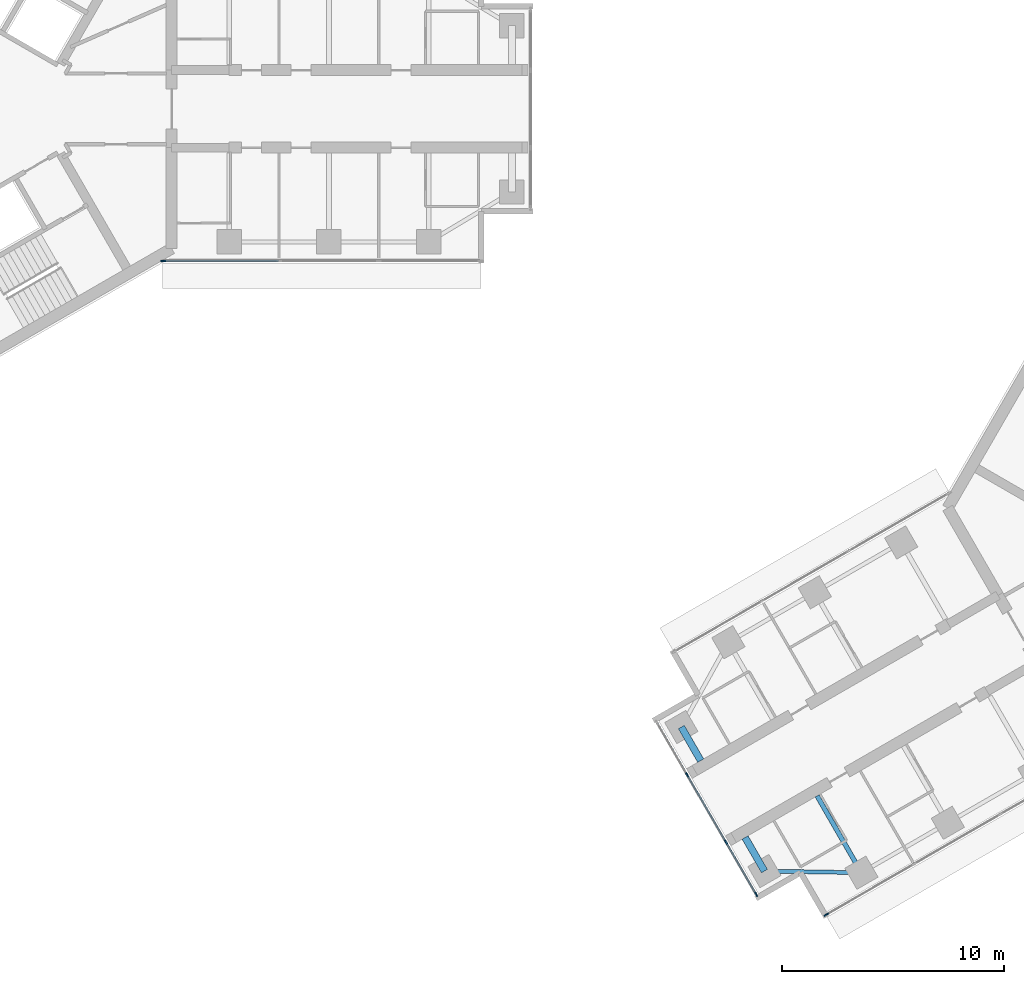
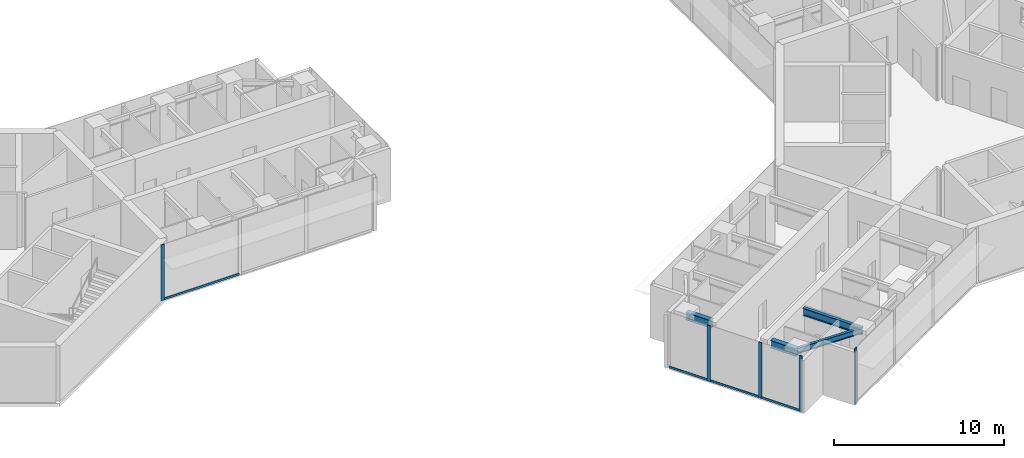
# One storey, part 2 of 18: 9 members, 4 beams, 3 elements without a shape of their own.
"""IFC4 building model written with IfcOpenShell, lengths in metres."""

from ifc_helpers import new_model, si_unit, direction, frame, origin, origin_2d, place, context, subcontext, project, spatial, rectangle, i_section, extrude, material, material_profile, profile_set, type_object, element, aggregate, save


model = new_model("IFC4")

# Units and contexts
model_context = context("Model", 3, precision=1e-05, world=origin(), true_north=direction((0.0, 1.0)))
body_context = subcontext(model_context, "Body", "Model", "MODEL_VIEW")
ifc_project = project(units=[si_unit("LENGTHUNIT", "METRE"), si_unit("AREAUNIT", "SQUARE_METRE"), si_unit("VOLUMEUNIT", "CUBIC_METRE"), si_unit("PLANEANGLEUNIT", "RADIAN"), si_unit("MASSUNIT", "GRAM", prefix="KILO")], contexts=[model_context])

# Site, building, storey
site_placement = place(None, origin())
site = spatial("IfcSite", under=ifc_project, at=site_placement, CompositionType="ELEMENT")
building_placement = place(site_placement, origin())
building = spatial("IfcBuilding", under=site, at=building_placement, Name="Upepo Twin Towers", CompositionType="ELEMENT")
storey_placement = place(building_placement, frame((0.0, 0.0, 226.5)))
storey = spatial("IfcBuildingStorey", under=building, at=storey_placement, Name="L55", CompositionType="ELEMENT", Elevation=226.5)

# Beams
ifc_material_1 = material(Name="Steel S355", Category="steel")
ifc_material_profile_1 = material_profile(ifc_material_1, i_section(OverallWidth=0.177978515625, OverallDepth=0.406494140625, WebThickness=0.0078125, FlangeThickness=0.0126953125, FilletRadius=0.01025390625, at=origin_2d()), Name="UB 406x178x60")
ifc_profile_set_1 = profile_set([ifc_material_profile_1], Name="Steel S355")
beam_type_1 = type_object("IfcBeamType", Name="Beam UB 406x178x60", PredefinedType="BEAM", material=ifc_profile_set_1)
beam_1_placement = place(storey_placement, frame((42.014404296875, -34.446044921875, 3.5966796875), z_axis=(-0.999858804832, 0.016803880528, 0.0), x_axis=(-0.016803880528, -0.999858804832, 0.0)))
element("IfcBeam", 1, at=beam_1_placement, inside=storey, type_object=beam_type_1, Name="T2 nose edge beam BL", PredefinedType="BEAM", context=body_context, shape_type="SweptSolid", body=[
    extrude(i_section(OverallWidth=0.177978515625, OverallDepth=0.406494140625, WebThickness=0.0078125, FlangeThickness=0.0126953125, FilletRadius=0.01025390625, at=origin_2d()), origin(), (0.0, 0.0, 1.0), 4.373291015625),
])
ifc_material_2 = material(Name="Steel S355", Category="steel")
ifc_material_profile_2 = material_profile(ifc_material_2, i_section(OverallWidth=0.209228515625, OverallDepth=0.533203125, WebThickness=0.010009765625, FlangeThickness=0.015625, FilletRadius=0.0126953125, at=origin_2d()), Name="UB 533x210x92")
ifc_profile_set_2 = profile_set([ifc_material_profile_2], Name="Steel S355")
beam_type_2 = type_object("IfcBeamType", Name="Beam UB 533x210x92", PredefinedType="BEAM", material=ifc_profile_set_2)
beam_2_placement = place(storey_placement, frame((42.014404296875, -34.446044921875, 3.533447265625), z_axis=(-0.49999894854, 0.866026010844, 0.0), x_axis=(-0.866026010844, -0.49999894854, 0.0)))
element("IfcBeam", 2, at=beam_2_placement, inside=storey, type_object=beam_type_2, Name="T2 girder BL at 22.5", PredefinedType="BEAM", context=body_context, shape_type="SweptSolid", body=[
    extrude(i_section(OverallWidth=0.209228515625, OverallDepth=0.533203125, WebThickness=0.010009765625, FlangeThickness=0.015625, FilletRadius=0.0126953125, at=origin_2d()), origin(), (0.0, 0.0, 1.0), 4.0),
])
ifc_material_3 = material(Name="Steel S355", Category="steel")
ifc_material_profile_3 = material_profile(ifc_material_3, i_section(OverallWidth=0.31201171875, OverallDepth=0.54345703125, WebThickness=0.0126953125, FlangeThickness=0.020263671875, FilletRadius=0.0126953125, at=origin_2d()), Name="UB 533x312x150")
ifc_profile_set_3 = profile_set([ifc_material_profile_3], Name="Steel S355")
beam_type_3 = type_object("IfcBeamType", Name="Beam UB 533x312x150", PredefinedType="BEAM", material=ifc_profile_set_3)
for number, where, z_axis, x_axis, name in (
    (3, (37.641845703125, -34.37255859375, 3.5283203125), (-0.499980071345, 0.866036909293, 0.0), (-0.866036909293, -0.499980071345, 0.0), "T2 nose beam BL"),
    (4, (33.891845703125, -27.87744140625, 3.5283203125), (0.499980071345, -0.866036909293, 0.0), (0.866036909293, 0.499980071345, 0.0), "T2 nose beam BR"),
):
    element("IfcBeam", number, at=place(storey_placement, frame(where, z_axis=z_axis, x_axis=x_axis)), inside=storey, type_object=beam_type_3, Name=name, PredefinedType="BEAM", context=body_context, shape_type="SweptSolid", body=[
        extrude(i_section(OverallWidth=0.31201171875, OverallDepth=0.54345703125, WebThickness=0.0126953125, FlangeThickness=0.020263671875, FilletRadius=0.0126953125, at=origin_2d()), origin(), (0.0, 0.0, 1.0), 1.75),
    ])

# Curtain wall, member
ifc_material_4 = material(Name="Aluminium and fritted glass", Category="aluminium")
curtain_wall_type = type_object("IfcCurtainWallType", Name="Tower curtain wall TW3, fritted glass", PredefinedType="NOTDEFINED", material=ifc_material_4)
curtain_wall_1_placement = place(storey_placement, origin())
curtain_wall_1 = element("IfcCurtainWall", 5, at=curtain_wall_1_placement, inside=storey, type_object=curtain_wall_type, Name="T1 L55 wing A flank R curtain wall", PredefinedType="NOTDEFINED")
ifc_material_5 = material(Name="Aluminium mullion", Category="aluminium")
ifc_material_profile_4 = material_profile(ifc_material_5, rectangle(XDim=0.06494140625, YDim=0.22509765625, at=origin_2d()), Name="MULLION 65x225")
ifc_profile_set_4 = profile_set([ifc_material_profile_4], Name="Aluminium mullion")
member_type_1 = type_object("IfcMemberType", Name="Mullion 65x225 TW3", PredefinedType="MULLION", material=ifc_profile_set_4)
member_1_placement = place(storey_placement, frame((10.51953125, -6.85009765625, 0.0), z_axis=(0.0, 0.0, 1.0), x_axis=(0.0, -1.0, 0.0)))
member_1 = element("IfcMember", 6, at=member_1_placement, type_object=member_type_1, Name="T1 L55 wing A flank R curtain wall mullion 4", PredefinedType="MULLION", context=body_context, shape_type="SweptSolid", body=[
    extrude(rectangle(XDim=0.06494140625, YDim=0.22509765625, at=origin_2d()), origin(), (0.0, 0.0, 1.0), 4.0),
])

curtain_wall_2_placement = place(storey_placement, origin())
curtain_wall_2 = element("IfcCurtainWall", 7, at=curtain_wall_2_placement, inside=storey, type_object=curtain_wall_type, Name="T2 L55 wing B flank L curtain wall", PredefinedType="NOTDEFINED")
member_2_placement = place(storey_placement, frame((40.432373046875, -36.341064453125, 0.0), z_axis=(0.0, 0.0, 1.0), x_axis=(0.500000026527, -0.866025388469, 0.0)))
member_2 = element("IfcMember", 8, at=member_2_placement, type_object=member_type_1, Name="T2 L55 wing B flank L curtain wall mullion 4", PredefinedType="MULLION", context=body_context, shape_type="SweptSolid", body=[
    extrude(rectangle(XDim=0.06494140625, YDim=0.22509765625, at=origin_2d()), origin(), (0.0, 0.0, 1.0), 4.0),
])
aggregate(curtain_wall_2, [member_2])

# Curtain wall, members
curtain_wall_3_placement = place(storey_placement, origin())
curtain_wall_3 = element("IfcCurtainWall", 9, at=curtain_wall_3_placement, inside=storey, type_object=curtain_wall_type, Name="T2 L55 wing B nose curtain wall", PredefinedType="NOTDEFINED")
member_3_placement = place(storey_placement, frame((34.15576171875, -30.034423828125, 0.0), z_axis=(0.0, 0.0, 1.0), x_axis=(0.866025386174, 0.500000030502, 0.0)))
member_3 = element("IfcMember", 10, at=member_3_placement, type_object=member_type_1, Name="T2 L55 wing B nose curtain wall mullion 2", PredefinedType="MULLION", context=body_context, shape_type="SweptSolid", body=[
    extrude(rectangle(XDim=0.06494140625, YDim=0.22509765625, at=origin_2d()), origin(), (0.0, 0.0, 1.0), 4.0),
])
member_4_placement = place(storey_placement, frame((35.90576171875, -33.0654296875, 0.0), z_axis=(0.0, 0.0, 1.0), x_axis=(0.866025386174, 0.500000030502, 0.0)))
member_4 = element("IfcMember", 11, at=member_4_placement, type_object=member_type_1, Name="T2 L55 wing B nose curtain wall mullion 3", PredefinedType="MULLION", context=body_context, shape_type="SweptSolid", body=[
    extrude(rectangle(XDim=0.06494140625, YDim=0.22509765625, at=origin_2d()), origin(), (0.0, 0.0, 1.0), 4.0),
])
member_5_placement = place(storey_placement, frame((37.264404296875, -35.4189453125, 0.0), z_axis=(0.0, 0.0, 1.0), x_axis=(0.866025386174, 0.500000030502, 0.0)))
member_5 = element("IfcMember", 12, at=member_5_placement, type_object=member_type_1, Name="T2 L55 wing B nose curtain wall mullion 4", PredefinedType="MULLION", context=body_context, shape_type="SweptSolid", body=[
    extrude(rectangle(XDim=0.06494140625, YDim=0.22509765625, at=origin_2d()), origin(), (0.0, 0.0, 1.0), 4.0),
])

# Member
ifc_material_6 = material(Name="Aluminium transom", Category="aluminium")
ifc_material_profile_5 = material_profile(ifc_material_6, rectangle(XDim=0.06494140625, YDim=0.14990234375, at=origin_2d()), Name="TRANSOM 65x150")
ifc_profile_set_5 = profile_set([ifc_material_profile_5], Name="Aluminium transom")
member_type_2 = type_object("IfcMemberType", Name="Transom 65x150 TW3", PredefinedType="USERDEFINED", material=ifc_profile_set_5)
member_6_placement = place(storey_placement, frame((15.717529296875, -6.85009765625, 0.074951171875), z_axis=(-1.0, 0.0, 0.0), x_axis=(0.0, -1.0, 0.0)))
member_6 = element("IfcMember", 13, at=member_6_placement, type_object=member_type_2, Name="T1 L55 wing A flank R curtain wall transom 3", ObjectType="TRANSOM", PredefinedType="USERDEFINED", context=body_context, shape_type="SweptSolid", body=[
    extrude(rectangle(XDim=0.06494140625, YDim=0.14990234375, at=origin_2d()), origin(), (0.0, 0.0, 1.0), 5.16552734375),
])

aggregate(curtain_wall_1, [member_1, member_6])

member_7_placement = place(storey_placement, frame((32.813232421875, -27.709228515625, 0.074951171875), z_axis=(0.499980071345, -0.866036909293, 0.0), x_axis=(0.866036909293, 0.499980071345, 0.0)))
member_7 = element("IfcMember", 14, at=member_7_placement, type_object=member_type_2, Name="T2 L55 wing B nose curtain wall transom 1", ObjectType="TRANSOM", PredefinedType="USERDEFINED", context=body_context, shape_type="SweptSolid", body=[
    extrude(rectangle(XDim=0.06494140625, YDim=0.14990234375, at=origin_2d()), origin(), (0.0, 0.0, 1.0), 2.65234375),
])

member_8_placement = place(storey_placement, frame((34.171875, -30.0625, 0.074951171875), z_axis=(0.499999305434, -0.866025804792, 0.0), x_axis=(0.866025804792, 0.499999305434, 0.0)))
member_8 = element("IfcMember", 15, at=member_8_placement, type_object=member_type_2, Name="T2 L55 wing B nose curtain wall transom 2", ObjectType="TRANSOM", PredefinedType="USERDEFINED", context=body_context, shape_type="SweptSolid", body=[
    extrude(rectangle(XDim=0.06494140625, YDim=0.14990234375, at=origin_2d()), origin(), (0.0, 0.0, 1.0), 3.43505859375),
])

member_9_placement = place(storey_placement, frame((35.921875, -33.09375, 0.074951171875), z_axis=(0.500049101008, -0.865997053448, 0.0), x_axis=(0.865997053448, 0.500049101008, 0.0)))
member_9 = element("IfcMember", 16, at=member_9_placement, type_object=member_type_2, Name="T2 L55 wing B nose curtain wall transom 3", ObjectType="TRANSOM", PredefinedType="USERDEFINED", context=body_context, shape_type="SweptSolid", body=[
    extrude(rectangle(XDim=0.06494140625, YDim=0.14990234375, at=origin_2d()), origin(), (0.0, 0.0, 1.0), 2.652587890625),
])

aggregate(curtain_wall_3, [member_3, member_4, member_5, member_7, member_8, member_9])

save(model, "model.ifc")
